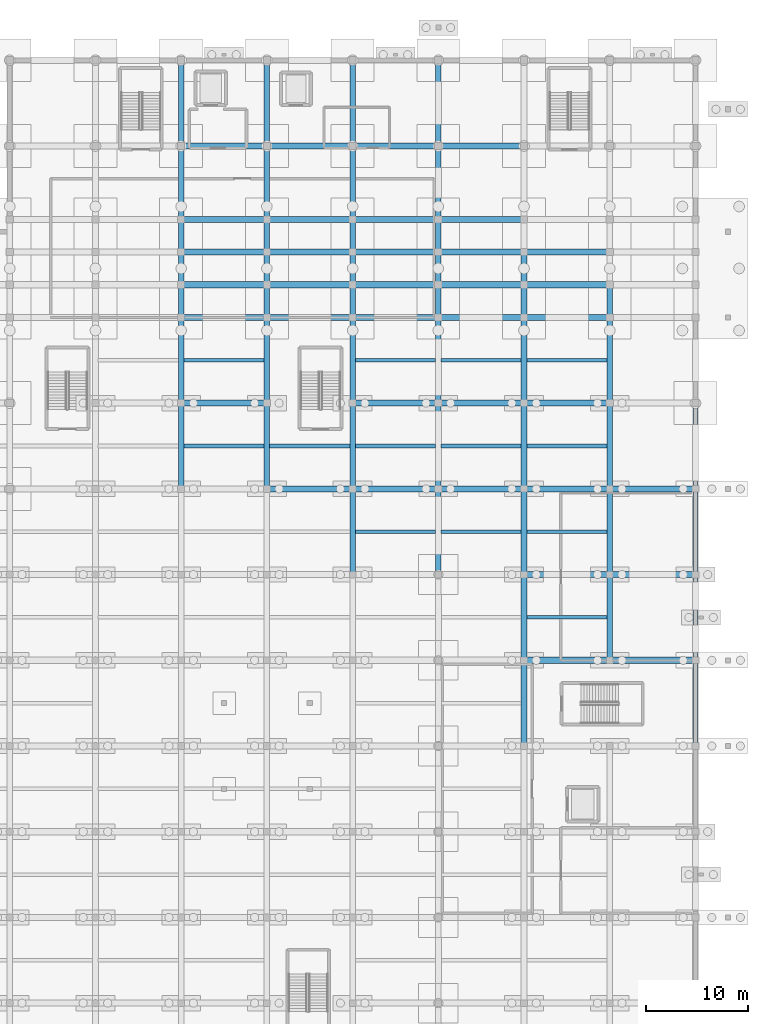
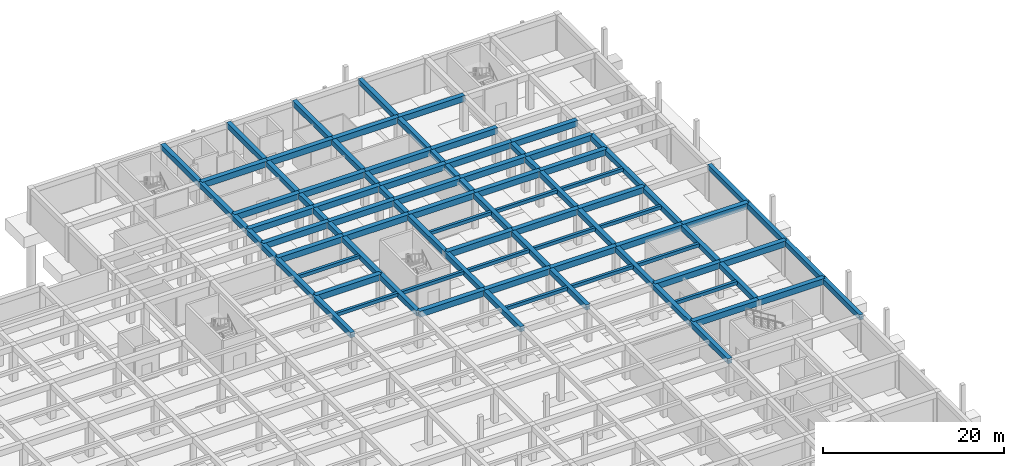
# One storey, part 22 of 51: 95 beams.
"""IFC4 building model written with IfcOpenShell, lengths in metres."""

from ifc_helpers import new_model, si_unit, direction, frame, origin, origin_2d, place, context, subcontext, project, spatial, rectangle, extrude, material, material_profile, profile_set, type_object, element, save


model = new_model("IFC4")

# Units and contexts
model_context = context("Model", 3, precision=1e-05, world=origin(), true_north=direction((0.0, 1.0)))
body_context = subcontext(model_context, "Body", "Model", "MODEL_VIEW")
ifc_project = project(units=[si_unit("LENGTHUNIT", "METRE"), si_unit("AREAUNIT", "SQUARE_METRE"), si_unit("VOLUMEUNIT", "CUBIC_METRE"), si_unit("PLANEANGLEUNIT", "RADIAN"), si_unit("MASSUNIT", "GRAM", prefix="KILO")], contexts=[model_context])

# Site, building, storey
site_placement = place(None, origin())
site = spatial("IfcSite", under=ifc_project, at=site_placement, CompositionType="ELEMENT")
building_placement = place(site_placement, origin())
building = spatial("IfcBuilding", under=site, at=building_placement, Name="Varncliffe General Hospital", CompositionType="ELEMENT")
storey_placement = place(building_placement, frame((0.0, 0.0, -4.800048828125)))
storey = spatial("IfcBuildingStorey", under=building, at=storey_placement, Name="B1", CompositionType="ELEMENT", Elevation=-4.800048828125)

# Beams
ifc_material = material(Name="Concrete C35/45 (CSA A23.1 35 MPa)", Category="concrete")
ifc_material_profile_1 = material_profile(ifc_material, rectangle(XDim=0.550048828125, YDim=0.699951171875, at=origin_2d()), Name="RC 550x700")
ifc_profile_set_1 = profile_set([ifc_material_profile_1], Name="Concrete C35/45 (CSA A23.1 35 MPa)")
beam_type_1 = type_object("IfcBeamType", Name="Beam B35 (Int RC 550x700)", PredefinedType="BEAM", material=ifc_profile_set_1)
beam_1_placement = place(storey_placement, frame((126.0, 82.800048828125, 4.449951171875), z_axis=(0.0, 1.0, 0.0), x_axis=(-1.0, 0.0, 0.0)))
element("IfcBeam", 1, at=beam_1_placement, inside=storey, type_object=beam_type_1, Name="B1 Primary Beam B35-553", PredefinedType="BEAM", context=body_context, shape_type="SweptSolid", body=[
    extrude(rectangle(XDim=0.550048828125, YDim=0.699951171875, at=origin_2d()), origin(), (0.0, 0.0, 1.0), 8.39990234375),
])
beam_2_placement = place(storey_placement, frame((126.0, 91.199951171875, 4.449951171875), z_axis=(0.0, 1.0, 0.0), x_axis=(-1.0, 0.0, 0.0)))
element("IfcBeam", 2, at=beam_2_placement, inside=storey, type_object=beam_type_1, Name="B1 Primary Beam B35-554", PredefinedType="BEAM", context=body_context, shape_type="SweptSolid", body=[
    extrude(rectangle(XDim=0.550048828125, YDim=0.699951171875, at=origin_2d()), origin(), (0.0, 0.0, 1.0), 8.400146484375),
])
for number, where, z_axis, x_axis, name in (
    (3, (126.0, 99.60009765625, 4.449951171875), (0.0, 1.0, 0.0), (-1.0, 0.0, 0.0), "B1 Primary Beam B35-555"),
    (4, (126.0, 102.800048828125, 4.449951171875), (0.0, 1.0, 0.0), (-1.0, 0.0, 0.0), "B1 Primary Beam B35-556"),
    (5, (126.0, 106.0, 4.449951171875), (0.0, 1.0, 0.0), (-1.0, 0.0, 0.0), "B1 Primary Beam B35-557"),
):
    element("IfcBeam", number, at=place(storey_placement, frame(where, z_axis=z_axis, x_axis=x_axis)), inside=storey, type_object=beam_type_1, Name=name, PredefinedType="BEAM", context=body_context, shape_type="SweptSolid", body=[
        extrude(rectangle(XDim=0.550048828125, YDim=0.699951171875, at=origin_2d()), origin(), (0.0, 0.0, 1.0), 3.199951171875),
    ])
beam_3_placement = place(storey_placement, frame((126.0, 109.199951171875, 4.449951171875), z_axis=(0.0, 1.0, 0.0), x_axis=(-1.0, 0.0, 0.0)))
element("IfcBeam", 6, at=beam_3_placement, inside=storey, type_object=beam_type_1, Name="B1 Primary Beam B35-558", PredefinedType="BEAM", context=body_context, shape_type="SweptSolid", body=[
    extrude(rectangle(XDim=0.550048828125, YDim=0.699951171875, at=origin_2d()), origin(), (0.0, 0.0, 1.0), 7.199951171875),
])
beam_4_placement = place(storey_placement, frame((126.0, 116.39990234375, 4.449951171875), z_axis=(0.0, 1.0, 0.0), x_axis=(-1.0, 0.0, 0.0)))
element("IfcBeam", 7, at=beam_4_placement, inside=storey, type_object=beam_type_1, Name="B1 Primary Beam B35-559", PredefinedType="BEAM", context=body_context, shape_type="SweptSolid", body=[
    extrude(rectangle(XDim=0.550048828125, YDim=0.699951171875, at=origin_2d()), origin(), (0.0, 0.0, 1.0), 8.400146484375),
])
beam_5_placement = place(storey_placement, frame((134.39990234375, 82.800048828125, 4.449951171875), z_axis=(0.0, 1.0, 0.0), x_axis=(-1.0, 0.0, 0.0)))
element("IfcBeam", 8, at=beam_5_placement, inside=storey, type_object=beam_type_1, Name="B1 Primary Beam B35-567", PredefinedType="BEAM", context=body_context, shape_type="SweptSolid", body=[
    extrude(rectangle(XDim=0.550048828125, YDim=0.699951171875, at=origin_2d()), origin(), (0.0, 0.0, 1.0), 8.39990234375),
])
beam_6_placement = place(storey_placement, frame((134.39990234375, 91.199951171875, 4.449951171875), z_axis=(0.0, 1.0, 0.0), x_axis=(-1.0, 0.0, 0.0)))
element("IfcBeam", 9, at=beam_6_placement, inside=storey, type_object=beam_type_1, Name="B1 Primary Beam B35-568", PredefinedType="BEAM", context=body_context, shape_type="SweptSolid", body=[
    extrude(rectangle(XDim=0.550048828125, YDim=0.699951171875, at=origin_2d()), origin(), (0.0, 0.0, 1.0), 8.400146484375),
])
for number, where, z_axis, x_axis, name in (
    (10, (134.39990234375, 99.60009765625, 4.449951171875), (0.0, 1.0, 0.0), (-1.0, 0.0, 0.0), "B1 Primary Beam B35-569"),
    (11, (134.39990234375, 102.800048828125, 4.449951171875), (0.0, 1.0, 0.0), (-1.0, 0.0, 0.0), "B1 Primary Beam B35-570"),
    (12, (134.39990234375, 106.0, 4.449951171875), (0.0, 1.0, 0.0), (-1.0, 0.0, 0.0), "B1 Primary Beam B35-571"),
):
    element("IfcBeam", number, at=place(storey_placement, frame(where, z_axis=z_axis, x_axis=x_axis)), inside=storey, type_object=beam_type_1, Name=name, PredefinedType="BEAM", context=body_context, shape_type="SweptSolid", body=[
        extrude(rectangle(XDim=0.550048828125, YDim=0.699951171875, at=origin_2d()), origin(), (0.0, 0.0, 1.0), 3.199951171875),
    ])
beam_7_placement = place(storey_placement, frame((134.39990234375, 109.199951171875, 4.449951171875), z_axis=(0.0, 1.0, 0.0), x_axis=(-1.0, 0.0, 0.0)))
element("IfcBeam", 13, at=beam_7_placement, inside=storey, type_object=beam_type_1, Name="B1 Primary Beam B35-572", PredefinedType="BEAM", context=body_context, shape_type="SweptSolid", body=[
    extrude(rectangle(XDim=0.550048828125, YDim=0.699951171875, at=origin_2d()), origin(), (0.0, 0.0, 1.0), 7.199951171875),
])
for number, where, z_axis, x_axis, name in (
    (14, (134.39990234375, 116.39990234375, 4.449951171875), (0.0, 1.0, 0.0), (-1.0, 0.0, 0.0), "B1 Primary Beam B35-573"),
    (15, (142.800048828125, 74.39990234375, 4.449951171875), (0.0, 1.0, 0.0), (-1.0, 0.0, 0.0), "B1 Primary Beam B35-580"),
):
    element("IfcBeam", number, at=place(storey_placement, frame(where, z_axis=z_axis, x_axis=x_axis)), inside=storey, type_object=beam_type_1, Name=name, PredefinedType="BEAM", context=body_context, shape_type="SweptSolid", body=[
        extrude(rectangle(XDim=0.550048828125, YDim=0.699951171875, at=origin_2d()), origin(), (0.0, 0.0, 1.0), 8.400146484375),
    ])
beam_8_placement = place(storey_placement, frame((142.800048828125, 82.800048828125, 4.449951171875), z_axis=(0.0, 1.0, 0.0), x_axis=(-1.0, 0.0, 0.0)))
element("IfcBeam", 16, at=beam_8_placement, inside=storey, type_object=beam_type_1, Name="B1 Primary Beam B35-581", PredefinedType="BEAM", context=body_context, shape_type="SweptSolid", body=[
    extrude(rectangle(XDim=0.550048828125, YDim=0.699951171875, at=origin_2d()), origin(), (0.0, 0.0, 1.0), 8.39990234375),
])
beam_9_placement = place(storey_placement, frame((142.800048828125, 91.199951171875, 4.449951171875), z_axis=(0.0, 1.0, 0.0), x_axis=(-1.0, 0.0, 0.0)))
element("IfcBeam", 17, at=beam_9_placement, inside=storey, type_object=beam_type_1, Name="B1 Primary Beam B35-582", PredefinedType="BEAM", context=body_context, shape_type="SweptSolid", body=[
    extrude(rectangle(XDim=0.550048828125, YDim=0.699951171875, at=origin_2d()), origin(), (0.0, 0.0, 1.0), 8.400146484375),
])
for number, where, z_axis, x_axis, name in (
    (18, (142.800048828125, 99.60009765625, 4.449951171875), (0.0, 1.0, 0.0), (-1.0, 0.0, 0.0), "B1 Primary Beam B35-583"),
    (19, (142.800048828125, 102.800048828125, 4.449951171875), (0.0, 1.0, 0.0), (-1.0, 0.0, 0.0), "B1 Primary Beam B35-584"),
    (20, (142.800048828125, 106.0, 4.449951171875), (0.0, 1.0, 0.0), (-1.0, 0.0, 0.0), "B1 Primary Beam B35-585"),
):
    element("IfcBeam", number, at=place(storey_placement, frame(where, z_axis=z_axis, x_axis=x_axis)), inside=storey, type_object=beam_type_1, Name=name, PredefinedType="BEAM", context=body_context, shape_type="SweptSolid", body=[
        extrude(rectangle(XDim=0.550048828125, YDim=0.699951171875, at=origin_2d()), origin(), (0.0, 0.0, 1.0), 3.199951171875),
    ])
beam_10_placement = place(storey_placement, frame((142.800048828125, 109.199951171875, 4.449951171875), z_axis=(0.0, 1.0, 0.0), x_axis=(-1.0, 0.0, 0.0)))
element("IfcBeam", 21, at=beam_10_placement, inside=storey, type_object=beam_type_1, Name="B1 Primary Beam B35-586", PredefinedType="BEAM", context=body_context, shape_type="SweptSolid", body=[
    extrude(rectangle(XDim=0.550048828125, YDim=0.699951171875, at=origin_2d()), origin(), (0.0, 0.0, 1.0), 7.199951171875),
])
for number, where, z_axis, x_axis, name in (
    (22, (142.800048828125, 116.39990234375, 4.449951171875), (0.0, 1.0, 0.0), (-1.0, 0.0, 0.0), "B1 Primary Beam B35-587"),
    (23, (151.199951171875, 74.39990234375, 4.449951171875), (0.0, 1.0, 0.0), (-1.0, 0.0, 0.0), "B1 Primary Beam B35-597"),
):
    element("IfcBeam", number, at=place(storey_placement, frame(where, z_axis=z_axis, x_axis=x_axis)), inside=storey, type_object=beam_type_1, Name=name, PredefinedType="BEAM", context=body_context, shape_type="SweptSolid", body=[
        extrude(rectangle(XDim=0.550048828125, YDim=0.699951171875, at=origin_2d()), origin(), (0.0, 0.0, 1.0), 8.400146484375),
    ])
beam_11_placement = place(storey_placement, frame((151.199951171875, 82.800048828125, 4.449951171875), z_axis=(0.0, 1.0, 0.0), x_axis=(-1.0, 0.0, 0.0)))
element("IfcBeam", 24, at=beam_11_placement, inside=storey, type_object=beam_type_1, Name="B1 Primary Beam B35-598", PredefinedType="BEAM", context=body_context, shape_type="SweptSolid", body=[
    extrude(rectangle(XDim=0.550048828125, YDim=0.699951171875, at=origin_2d()), origin(), (0.0, 0.0, 1.0), 8.39990234375),
])
beam_12_placement = place(storey_placement, frame((151.199951171875, 91.199951171875, 4.449951171875), z_axis=(0.0, 1.0, 0.0), x_axis=(-1.0, 0.0, 0.0)))
element("IfcBeam", 25, at=beam_12_placement, inside=storey, type_object=beam_type_1, Name="B1 Primary Beam B35-599", PredefinedType="BEAM", context=body_context, shape_type="SweptSolid", body=[
    extrude(rectangle(XDim=0.550048828125, YDim=0.699951171875, at=origin_2d()), origin(), (0.0, 0.0, 1.0), 8.400146484375),
])
for number, where, z_axis, x_axis, name in (
    (26, (151.199951171875, 99.60009765625, 4.449951171875), (0.0, 1.0, 0.0), (-1.0, 0.0, 0.0), "B1 Primary Beam B35-600"),
    (27, (151.199951171875, 102.800048828125, 4.449951171875), (0.0, 1.0, 0.0), (-1.0, 0.0, 0.0), "B1 Primary Beam B35-601"),
    (28, (151.199951171875, 106.0, 4.449951171875), (0.0, 1.0, 0.0), (-1.0, 0.0, 0.0), "B1 Primary Beam B35-602"),
):
    element("IfcBeam", number, at=place(storey_placement, frame(where, z_axis=z_axis, x_axis=x_axis)), inside=storey, type_object=beam_type_1, Name=name, PredefinedType="BEAM", context=body_context, shape_type="SweptSolid", body=[
        extrude(rectangle(XDim=0.550048828125, YDim=0.699951171875, at=origin_2d()), origin(), (0.0, 0.0, 1.0), 3.199951171875),
    ])
beam_13_placement = place(storey_placement, frame((151.199951171875, 109.199951171875, 4.449951171875), z_axis=(0.0, 1.0, 0.0), x_axis=(-1.0, 0.0, 0.0)))
element("IfcBeam", 29, at=beam_13_placement, inside=storey, type_object=beam_type_1, Name="B1 Primary Beam B35-603", PredefinedType="BEAM", context=body_context, shape_type="SweptSolid", body=[
    extrude(rectangle(XDim=0.550048828125, YDim=0.699951171875, at=origin_2d()), origin(), (0.0, 0.0, 1.0), 7.199951171875),
])
beam_14_placement = place(storey_placement, frame((151.199951171875, 116.39990234375, 4.449951171875), z_axis=(0.0, 1.0, 0.0), x_axis=(-1.0, 0.0, 0.0)))
element("IfcBeam", 30, at=beam_14_placement, inside=storey, type_object=beam_type_1, Name="B1 Primary Beam B35-604", PredefinedType="BEAM", context=body_context, shape_type="SweptSolid", body=[
    extrude(rectangle(XDim=0.550048828125, YDim=0.699951171875, at=origin_2d()), origin(), (0.0, 0.0, 1.0), 8.400146484375),
])
for number, where, z_axis, x_axis, name in (
    (31, (159.60009765625, 57.60009765625, 4.449951171875), (0.0, 1.0, 0.0), (-1.0, 0.0, 0.0), "B1 Primary Beam B35-612"),
    (32, (159.60009765625, 66.0, 4.449951171875), (0.0, 1.0, 0.0), (-1.0, 0.0, 0.0), "B1 Primary Beam B35-613"),
):
    element("IfcBeam", number, at=place(storey_placement, frame(where, z_axis=z_axis, x_axis=x_axis)), inside=storey, type_object=beam_type_1, Name=name, PredefinedType="BEAM", context=body_context, shape_type="SweptSolid", body=[
        extrude(rectangle(XDim=0.550048828125, YDim=0.699951171875, at=origin_2d()), origin(), (0.0, 0.0, 1.0), 8.39990234375),
    ])
beam_15_placement = place(storey_placement, frame((159.60009765625, 74.39990234375, 4.449951171875), z_axis=(0.0, 1.0, 0.0), x_axis=(-1.0, 0.0, 0.0)))
element("IfcBeam", 33, at=beam_15_placement, inside=storey, type_object=beam_type_1, Name="B1 Primary Beam B35-614", PredefinedType="BEAM", context=body_context, shape_type="SweptSolid", body=[
    extrude(rectangle(XDim=0.550048828125, YDim=0.699951171875, at=origin_2d()), origin(), (0.0, 0.0, 1.0), 8.400146484375),
])
beam_16_placement = place(storey_placement, frame((159.60009765625, 82.800048828125, 4.449951171875), z_axis=(0.0, 1.0, 0.0), x_axis=(-1.0, 0.0, 0.0)))
element("IfcBeam", 34, at=beam_16_placement, inside=storey, type_object=beam_type_1, Name="B1 Primary Beam B35-615", PredefinedType="BEAM", context=body_context, shape_type="SweptSolid", body=[
    extrude(rectangle(XDim=0.550048828125, YDim=0.699951171875, at=origin_2d()), origin(), (0.0, 0.0, 1.0), 8.39990234375),
])
beam_17_placement = place(storey_placement, frame((159.60009765625, 91.199951171875, 4.449951171875), z_axis=(0.0, 1.0, 0.0), x_axis=(-1.0, 0.0, 0.0)))
element("IfcBeam", 35, at=beam_17_placement, inside=storey, type_object=beam_type_1, Name="B1 Primary Beam B35-616", PredefinedType="BEAM", context=body_context, shape_type="SweptSolid", body=[
    extrude(rectangle(XDim=0.550048828125, YDim=0.699951171875, at=origin_2d()), origin(), (0.0, 0.0, 1.0), 8.400146484375),
])
for number, where, z_axis, x_axis, name in (
    (36, (159.60009765625, 99.60009765625, 4.449951171875), (0.0, 1.0, 0.0), (-1.0, 0.0, 0.0), "B1 Primary Beam B35-617"),
    (37, (159.60009765625, 102.800048828125, 4.449951171875), (0.0, 1.0, 0.0), (-1.0, 0.0, 0.0), "B1 Primary Beam B35-618"),
):
    element("IfcBeam", number, at=place(storey_placement, frame(where, z_axis=z_axis, x_axis=x_axis)), inside=storey, type_object=beam_type_1, Name=name, PredefinedType="BEAM", context=body_context, shape_type="SweptSolid", body=[
        extrude(rectangle(XDim=0.550048828125, YDim=0.699951171875, at=origin_2d()), origin(), (0.0, 0.0, 1.0), 3.199951171875),
    ])
beam_18_placement = place(storey_placement, frame((168.0, 66.0, 4.449951171875), z_axis=(0.0, 1.0, 0.0), x_axis=(-1.0, 0.0, 0.0)))
element("IfcBeam", 38, at=beam_18_placement, inside=storey, type_object=beam_type_1, Name="B1 Primary Beam B35-628", PredefinedType="BEAM", context=body_context, shape_type="SweptSolid", body=[
    extrude(rectangle(XDim=0.550048828125, YDim=0.699951171875, at=origin_2d()), origin(), (0.0, 0.0, 1.0), 8.39990234375),
])
beam_19_placement = place(storey_placement, frame((168.0, 74.39990234375, 4.449951171875), z_axis=(0.0, 1.0, 0.0), x_axis=(-1.0, 0.0, 0.0)))
element("IfcBeam", 39, at=beam_19_placement, inside=storey, type_object=beam_type_1, Name="B1 Primary Beam B35-629", PredefinedType="BEAM", context=body_context, shape_type="SweptSolid", body=[
    extrude(rectangle(XDim=0.550048828125, YDim=0.699951171875, at=origin_2d()), origin(), (0.0, 0.0, 1.0), 8.400146484375),
])
beam_20_placement = place(storey_placement, frame((168.0, 82.800048828125, 4.449951171875), z_axis=(0.0, 1.0, 0.0), x_axis=(-1.0, 0.0, 0.0)))
element("IfcBeam", 40, at=beam_20_placement, inside=storey, type_object=beam_type_1, Name="B1 Primary Beam B35-630", PredefinedType="BEAM", context=body_context, shape_type="SweptSolid", body=[
    extrude(rectangle(XDim=0.550048828125, YDim=0.699951171875, at=origin_2d()), origin(), (0.0, 0.0, 1.0), 8.39990234375),
])
beam_21_placement = place(storey_placement, frame((168.0, 91.199951171875, 4.449951171875), z_axis=(0.0, 1.0, 0.0), x_axis=(-1.0, 0.0, 0.0)))
element("IfcBeam", 41, at=beam_21_placement, inside=storey, type_object=beam_type_1, Name="B1 Primary Beam B35-631", PredefinedType="BEAM", context=body_context, shape_type="SweptSolid", body=[
    extrude(rectangle(XDim=0.550048828125, YDim=0.699951171875, at=origin_2d()), origin(), (0.0, 0.0, 1.0), 8.400146484375),
])
beam_22_placement = place(storey_placement, frame((168.0, 99.60009765625, 4.449951171875), z_axis=(0.0, 1.0, 0.0), x_axis=(-1.0, 0.0, 0.0)))
element("IfcBeam", 42, at=beam_22_placement, inside=storey, type_object=beam_type_1, Name="B1 Primary Beam B35-632", PredefinedType="BEAM", context=body_context, shape_type="SweptSolid", body=[
    extrude(rectangle(XDim=0.550048828125, YDim=0.699951171875, at=origin_2d()), origin(), (0.0, 0.0, 1.0), 3.199951171875),
])
ifc_material_profile_2 = material_profile(ifc_material, rectangle(XDim=0.60009765625, YDim=0.800048828125, at=origin_2d()), Name="RC 600x800")
ifc_profile_set_2 = profile_set([ifc_material_profile_2], Name="Concrete C35/45 (CSA A23.1 35 MPa)")
beam_type_2 = type_object("IfcBeamType", Name="Beam B40 (Int RC 600x800)", PredefinedType="BEAM", material=ifc_profile_set_2)
for number, where, z_axis, x_axis, name in (
    (43, (159.60009765625, 66.0, 4.400146484375), (1.0, 0.0, 0.0), (0.0, 1.0, 0.0), "B1 Primary Beam B40-152"),
    (44, (168.0, 66.0, 4.400146484375), (1.0, 0.0, 0.0), (0.0, 1.0, 0.0), "B1 Primary Beam B40-153"),
    (45, (159.60009765625, 74.39990234375, 4.400146484375), (1.0, 0.0, 0.0), (0.0, 1.0, 0.0), "B1 Primary Beam B40-173"),
    (46, (168.0, 74.39990234375, 4.400146484375), (1.0, 0.0, 0.0), (0.0, 1.0, 0.0), "B1 Primary Beam B40-174"),
):
    element("IfcBeam", number, at=place(storey_placement, frame(where, z_axis=z_axis, x_axis=x_axis)), inside=storey, type_object=beam_type_2, Name=name, PredefinedType="BEAM", context=body_context, shape_type="SweptSolid", body=[
        extrude(rectangle(XDim=0.60009765625, YDim=0.800048828125, at=origin_2d()), origin(), (0.0, 0.0, 1.0), 8.39990234375),
    ])
beam_23_placement = place(storey_placement, frame((134.39990234375, 82.800048828125, 4.400146484375), z_axis=(1.0, 0.0, 0.0), x_axis=(0.0, 1.0, 0.0)))
element("IfcBeam", 47, at=beam_23_placement, inside=storey, type_object=beam_type_2, Name="B1 Primary Beam B40-191", PredefinedType="BEAM", context=body_context, shape_type="SweptSolid", body=[
    extrude(rectangle(XDim=0.60009765625, YDim=0.800048828125, at=origin_2d()), origin(), (0.0, 0.0, 1.0), 8.400146484375),
])
beam_24_placement = place(storey_placement, frame((142.800048828125, 82.800048828125, 4.400146484375), z_axis=(1.0, 0.0, 0.0), x_axis=(0.0, 1.0, 0.0)))
element("IfcBeam", 48, at=beam_24_placement, inside=storey, type_object=beam_type_2, Name="B1 Primary Beam B40-192", PredefinedType="BEAM", context=body_context, shape_type="SweptSolid", body=[
    extrude(rectangle(XDim=0.60009765625, YDim=0.800048828125, at=origin_2d()), origin(), (0.0, 0.0, 1.0), 8.39990234375),
])
beam_25_placement = place(storey_placement, frame((151.199951171875, 82.800048828125, 4.400146484375), z_axis=(1.0, 0.0, 0.0), x_axis=(0.0, 1.0, 0.0)))
element("IfcBeam", 49, at=beam_25_placement, inside=storey, type_object=beam_type_2, Name="B1 Primary Beam B40-193", PredefinedType="BEAM", context=body_context, shape_type="SweptSolid", body=[
    extrude(rectangle(XDim=0.60009765625, YDim=0.800048828125, at=origin_2d()), origin(), (0.0, 0.0, 1.0), 8.400146484375),
])
for number, where, z_axis, x_axis, name in (
    (50, (159.60009765625, 82.800048828125, 4.400146484375), (1.0, 0.0, 0.0), (0.0, 1.0, 0.0), "B1 Primary Beam B40-194"),
    (51, (168.0, 82.800048828125, 4.400146484375), (1.0, 0.0, 0.0), (0.0, 1.0, 0.0), "B1 Primary Beam B40-195"),
    (52, (126.0, 91.199951171875, 4.400146484375), (1.0, 0.0, 0.0), (0.0, 1.0, 0.0), "B1 Primary Beam B40-208"),
    (53, (142.800048828125, 91.199951171875, 4.400146484375), (1.0, 0.0, 0.0), (0.0, 1.0, 0.0), "B1 Primary Beam B40-209"),
):
    element("IfcBeam", number, at=place(storey_placement, frame(where, z_axis=z_axis, x_axis=x_axis)), inside=storey, type_object=beam_type_2, Name=name, PredefinedType="BEAM", context=body_context, shape_type="SweptSolid", body=[
        extrude(rectangle(XDim=0.60009765625, YDim=0.800048828125, at=origin_2d()), origin(), (0.0, 0.0, 1.0), 8.39990234375),
    ])
beam_26_placement = place(storey_placement, frame((151.199951171875, 91.199951171875, 4.400146484375), z_axis=(1.0, 0.0, 0.0), x_axis=(0.0, 1.0, 0.0)))
element("IfcBeam", 54, at=beam_26_placement, inside=storey, type_object=beam_type_2, Name="B1 Primary Beam B40-210", PredefinedType="BEAM", context=body_context, shape_type="SweptSolid", body=[
    extrude(rectangle(XDim=0.60009765625, YDim=0.800048828125, at=origin_2d()), origin(), (0.0, 0.0, 1.0), 8.400146484375),
])
for number, where, z_axis, x_axis, name in (
    (55, (159.60009765625, 91.199951171875, 4.400146484375), (1.0, 0.0, 0.0), (0.0, 1.0, 0.0), "B1 Primary Beam B40-211"),
    (56, (126.0, 99.60009765625, 4.400146484375), (1.0, 0.0, 0.0), (0.0, 1.0, 0.0), "B1 Primary Beam B40-228"),
):
    element("IfcBeam", number, at=place(storey_placement, frame(where, z_axis=z_axis, x_axis=x_axis)), inside=storey, type_object=beam_type_2, Name=name, PredefinedType="BEAM", context=body_context, shape_type="SweptSolid", body=[
        extrude(rectangle(XDim=0.60009765625, YDim=0.800048828125, at=origin_2d()), origin(), (0.0, 0.0, 1.0), 8.39990234375),
    ])
beam_27_placement = place(storey_placement, frame((134.39990234375, 99.60009765625, 4.400146484375), z_axis=(1.0, 0.0, 0.0), x_axis=(0.0, 1.0, 0.0)))
element("IfcBeam", 57, at=beam_27_placement, inside=storey, type_object=beam_type_2, Name="B1 Primary Beam B40-229", PredefinedType="BEAM", context=body_context, shape_type="SweptSolid", body=[
    extrude(rectangle(XDim=0.60009765625, YDim=0.800048828125, at=origin_2d()), origin(), (0.0, 0.0, 1.0), 8.400146484375),
])
beam_28_placement = place(storey_placement, frame((142.800048828125, 99.60009765625, 4.400146484375), z_axis=(1.0, 0.0, 0.0), x_axis=(0.0, 1.0, 0.0)))
element("IfcBeam", 58, at=beam_28_placement, inside=storey, type_object=beam_type_2, Name="B1 Primary Beam B40-230", PredefinedType="BEAM", context=body_context, shape_type="SweptSolid", body=[
    extrude(rectangle(XDim=0.60009765625, YDim=0.800048828125, at=origin_2d()), origin(), (0.0, 0.0, 1.0), 8.39990234375),
])
beam_29_placement = place(storey_placement, frame((151.199951171875, 99.60009765625, 4.400146484375), z_axis=(1.0, 0.0, 0.0), x_axis=(0.0, 1.0, 0.0)))
element("IfcBeam", 59, at=beam_29_placement, inside=storey, type_object=beam_type_2, Name="B1 Primary Beam B40-231", PredefinedType="BEAM", context=body_context, shape_type="SweptSolid", body=[
    extrude(rectangle(XDim=0.60009765625, YDim=0.800048828125, at=origin_2d()), origin(), (0.0, 0.0, 1.0), 8.400146484375),
])
for number, where, z_axis, x_axis, name in (
    (60, (159.60009765625, 99.60009765625, 4.400146484375), (1.0, 0.0, 0.0), (0.0, 1.0, 0.0), "B1 Primary Beam B40-232"),
    (61, (126.0, 102.800048828125, 4.400146484375), (1.0, 0.0, 0.0), (0.0, 1.0, 0.0), "B1 Primary Beam B40-249"),
):
    element("IfcBeam", number, at=place(storey_placement, frame(where, z_axis=z_axis, x_axis=x_axis)), inside=storey, type_object=beam_type_2, Name=name, PredefinedType="BEAM", context=body_context, shape_type="SweptSolid", body=[
        extrude(rectangle(XDim=0.60009765625, YDim=0.800048828125, at=origin_2d()), origin(), (0.0, 0.0, 1.0), 8.39990234375),
    ])
beam_30_placement = place(storey_placement, frame((134.39990234375, 102.800048828125, 4.400146484375), z_axis=(1.0, 0.0, 0.0), x_axis=(0.0, 1.0, 0.0)))
element("IfcBeam", 62, at=beam_30_placement, inside=storey, type_object=beam_type_2, Name="B1 Primary Beam B40-250", PredefinedType="BEAM", context=body_context, shape_type="SweptSolid", body=[
    extrude(rectangle(XDim=0.60009765625, YDim=0.800048828125, at=origin_2d()), origin(), (0.0, 0.0, 1.0), 8.400146484375),
])
beam_31_placement = place(storey_placement, frame((142.800048828125, 102.800048828125, 4.400146484375), z_axis=(1.0, 0.0, 0.0), x_axis=(0.0, 1.0, 0.0)))
element("IfcBeam", 63, at=beam_31_placement, inside=storey, type_object=beam_type_2, Name="B1 Primary Beam B40-251", PredefinedType="BEAM", context=body_context, shape_type="SweptSolid", body=[
    extrude(rectangle(XDim=0.60009765625, YDim=0.800048828125, at=origin_2d()), origin(), (0.0, 0.0, 1.0), 8.39990234375),
])
beam_32_placement = place(storey_placement, frame((151.199951171875, 102.800048828125, 4.400146484375), z_axis=(1.0, 0.0, 0.0), x_axis=(0.0, 1.0, 0.0)))
element("IfcBeam", 64, at=beam_32_placement, inside=storey, type_object=beam_type_2, Name="B1 Primary Beam B40-252", PredefinedType="BEAM", context=body_context, shape_type="SweptSolid", body=[
    extrude(rectangle(XDim=0.60009765625, YDim=0.800048828125, at=origin_2d()), origin(), (0.0, 0.0, 1.0), 8.400146484375),
])
for number, where, z_axis, x_axis, name in (
    (65, (159.60009765625, 102.800048828125, 4.400146484375), (1.0, 0.0, 0.0), (0.0, 1.0, 0.0), "B1 Primary Beam B40-253"),
    (66, (126.0, 106.0, 4.400146484375), (1.0, 0.0, 0.0), (0.0, 1.0, 0.0), "B1 Primary Beam B40-265"),
):
    element("IfcBeam", number, at=place(storey_placement, frame(where, z_axis=z_axis, x_axis=x_axis)), inside=storey, type_object=beam_type_2, Name=name, PredefinedType="BEAM", context=body_context, shape_type="SweptSolid", body=[
        extrude(rectangle(XDim=0.60009765625, YDim=0.800048828125, at=origin_2d()), origin(), (0.0, 0.0, 1.0), 8.39990234375),
    ])
beam_33_placement = place(storey_placement, frame((134.39990234375, 106.0, 4.400146484375), z_axis=(1.0, 0.0, 0.0), x_axis=(0.0, 1.0, 0.0)))
element("IfcBeam", 67, at=beam_33_placement, inside=storey, type_object=beam_type_2, Name="B1 Primary Beam B40-266", PredefinedType="BEAM", context=body_context, shape_type="SweptSolid", body=[
    extrude(rectangle(XDim=0.60009765625, YDim=0.800048828125, at=origin_2d()), origin(), (0.0, 0.0, 1.0), 8.400146484375),
])
beam_34_placement = place(storey_placement, frame((142.800048828125, 106.0, 4.400146484375), z_axis=(1.0, 0.0, 0.0), x_axis=(0.0, 1.0, 0.0)))
element("IfcBeam", 68, at=beam_34_placement, inside=storey, type_object=beam_type_2, Name="B1 Primary Beam B40-267", PredefinedType="BEAM", context=body_context, shape_type="SweptSolid", body=[
    extrude(rectangle(XDim=0.60009765625, YDim=0.800048828125, at=origin_2d()), origin(), (0.0, 0.0, 1.0), 8.39990234375),
])
beam_35_placement = place(storey_placement, frame((151.199951171875, 106.0, 4.400146484375), z_axis=(1.0, 0.0, 0.0), x_axis=(0.0, 1.0, 0.0)))
element("IfcBeam", 69, at=beam_35_placement, inside=storey, type_object=beam_type_2, Name="B1 Primary Beam B40-268", PredefinedType="BEAM", context=body_context, shape_type="SweptSolid", body=[
    extrude(rectangle(XDim=0.60009765625, YDim=0.800048828125, at=origin_2d()), origin(), (0.0, 0.0, 1.0), 8.400146484375),
])
for number, where, z_axis, x_axis, name in (
    (70, (159.60009765625, 106.0, 4.400146484375), (1.0, 0.0, 0.0), (0.0, 1.0, 0.0), "B1 Primary Beam B40-269"),
    (71, (126.0, 109.199951171875, 4.400146484375), (1.0, 0.0, 0.0), (0.0, 1.0, 0.0), "B1 Primary Beam B40-284"),
):
    element("IfcBeam", number, at=place(storey_placement, frame(where, z_axis=z_axis, x_axis=x_axis)), inside=storey, type_object=beam_type_2, Name=name, PredefinedType="BEAM", context=body_context, shape_type="SweptSolid", body=[
        extrude(rectangle(XDim=0.60009765625, YDim=0.800048828125, at=origin_2d()), origin(), (0.0, 0.0, 1.0), 8.39990234375),
    ])
beam_36_placement = place(storey_placement, frame((134.39990234375, 109.199951171875, 4.400146484375), z_axis=(1.0, 0.0, 0.0), x_axis=(0.0, 1.0, 0.0)))
element("IfcBeam", 72, at=beam_36_placement, inside=storey, type_object=beam_type_2, Name="B1 Primary Beam B40-285", PredefinedType="BEAM", context=body_context, shape_type="SweptSolid", body=[
    extrude(rectangle(XDim=0.60009765625, YDim=0.800048828125, at=origin_2d()), origin(), (0.0, 0.0, 1.0), 8.400146484375),
])
beam_37_placement = place(storey_placement, frame((142.800048828125, 109.199951171875, 4.400146484375), z_axis=(1.0, 0.0, 0.0), x_axis=(0.0, 1.0, 0.0)))
element("IfcBeam", 73, at=beam_37_placement, inside=storey, type_object=beam_type_2, Name="B1 Primary Beam B40-286", PredefinedType="BEAM", context=body_context, shape_type="SweptSolid", body=[
    extrude(rectangle(XDim=0.60009765625, YDim=0.800048828125, at=origin_2d()), origin(), (0.0, 0.0, 1.0), 8.39990234375),
])
beam_38_placement = place(storey_placement, frame((151.199951171875, 109.199951171875, 4.400146484375), z_axis=(1.0, 0.0, 0.0), x_axis=(0.0, 1.0, 0.0)))
element("IfcBeam", 74, at=beam_38_placement, inside=storey, type_object=beam_type_2, Name="B1 Primary Beam B40-287", PredefinedType="BEAM", context=body_context, shape_type="SweptSolid", body=[
    extrude(rectangle(XDim=0.60009765625, YDim=0.800048828125, at=origin_2d()), origin(), (0.0, 0.0, 1.0), 8.400146484375),
])
beam_39_placement = place(storey_placement, frame((126.0, 116.39990234375, 4.400146484375), z_axis=(1.0, 0.0, 0.0), x_axis=(0.0, 1.0, 0.0)))
element("IfcBeam", 75, at=beam_39_placement, inside=storey, type_object=beam_type_2, Name="B1 Primary Beam B40-300", PredefinedType="BEAM", context=body_context, shape_type="SweptSolid", body=[
    extrude(rectangle(XDim=0.60009765625, YDim=0.800048828125, at=origin_2d()), origin(), (0.0, 0.0, 1.0), 8.39990234375),
])
beam_40_placement = place(storey_placement, frame((134.39990234375, 116.39990234375, 4.400146484375), z_axis=(1.0, 0.0, 0.0), x_axis=(0.0, 1.0, 0.0)))
element("IfcBeam", 76, at=beam_40_placement, inside=storey, type_object=beam_type_2, Name="B1 Primary Beam B40-301", PredefinedType="BEAM", context=body_context, shape_type="SweptSolid", body=[
    extrude(rectangle(XDim=0.60009765625, YDim=0.800048828125, at=origin_2d()), origin(), (0.0, 0.0, 1.0), 8.400146484375),
])
beam_41_placement = place(storey_placement, frame((142.800048828125, 116.39990234375, 4.400146484375), z_axis=(1.0, 0.0, 0.0), x_axis=(0.0, 1.0, 0.0)))
element("IfcBeam", 77, at=beam_41_placement, inside=storey, type_object=beam_type_2, Name="B1 Primary Beam B40-302", PredefinedType="BEAM", context=body_context, shape_type="SweptSolid", body=[
    extrude(rectangle(XDim=0.60009765625, YDim=0.800048828125, at=origin_2d()), origin(), (0.0, 0.0, 1.0), 8.39990234375),
])
beam_42_placement = place(storey_placement, frame((151.199951171875, 116.39990234375, 4.400146484375), z_axis=(1.0, 0.0, 0.0), x_axis=(0.0, 1.0, 0.0)))
element("IfcBeam", 78, at=beam_42_placement, inside=storey, type_object=beam_type_2, Name="B1 Primary Beam B40-303", PredefinedType="BEAM", context=body_context, shape_type="SweptSolid", body=[
    extrude(rectangle(XDim=0.60009765625, YDim=0.800048828125, at=origin_2d()), origin(), (0.0, 0.0, 1.0), 8.400146484375),
])
ifc_material_profile_3 = material_profile(ifc_material, rectangle(XDim=0.35009765625, YDim=0.449951171875, at=origin_2d()), Name="RC 350x450")
ifc_profile_set_3 = profile_set([ifc_material_profile_3], Name="Concrete C35/45 (CSA A23.1 35 MPa)")
beam_type_3 = type_object("IfcBeamType", Name="Joist J55 (Int RC 350x450)", PredefinedType="JOIST", material=ifc_profile_set_3)
for number, where, z_axis, x_axis, name in (
    (79, (126.27294921875, 87.0, 4.574951171875), (1.0, 0.0, 0.0), (0.0, 1.0, 0.0), "B1 Secondary Floor Rib J55-135"),
    (80, (126.27294921875, 95.39990234375, 4.574951171875), (1.0, 0.0, 0.0), (0.0, 1.0, 0.0), "B1 Secondary Floor Rib J55-136"),
    (81, (134.673095703125, 87.0, 4.574951171875), (1.0, 0.0, 0.0), (0.0, 1.0, 0.0), "B1 Secondary Floor Rib J55-142"),
    (82, (143.072998046875, 78.60009765625, 4.574951171875), (1.0, 0.0, 0.0), (0.0, 1.0, 0.0), "B1 Secondary Floor Rib J55-149"),
    (83, (143.072998046875, 87.0, 4.574951171875), (1.0, 0.0, 0.0), (0.0, 1.0, 0.0), "B1 Secondary Floor Rib J55-150"),
    (84, (143.072998046875, 95.39990234375, 4.574951171875), (1.0, 0.0, 0.0), (0.0, 1.0, 0.0), "B1 Secondary Floor Rib J55-151"),
    (85, (151.472900390625, 78.60009765625, 4.574951171875), (1.0, 0.0, 0.0), (0.0, 1.0, 0.0), "B1 Secondary Floor Rib J55-158"),
    (86, (151.472900390625, 87.0, 4.574951171875), (1.0, 0.0, 0.0), (0.0, 1.0, 0.0), "B1 Secondary Floor Rib J55-159"),
    (87, (151.472900390625, 95.39990234375, 4.574951171875), (1.0, 0.0, 0.0), (0.0, 1.0, 0.0), "B1 Secondary Floor Rib J55-160"),
    (88, (159.873046875, 70.199951171875, 4.574951171875), (1.0, 0.0, 0.0), (0.0, 1.0, 0.0), "B1 Secondary Floor Rib J55-165"),
    (89, (159.873046875, 78.60009765625, 4.574951171875), (1.0, 0.0, 0.0), (0.0, 1.0, 0.0), "B1 Secondary Floor Rib J55-166"),
    (90, (159.873046875, 87.0, 4.574951171875), (1.0, 0.0, 0.0), (0.0, 1.0, 0.0), "B1 Secondary Floor Rib J55-167"),
    (91, (159.873046875, 95.39990234375, 4.574951171875), (1.0, 0.0, 0.0), (0.0, 1.0, 0.0), "B1 Secondary Floor Rib J55-168"),
):
    element("IfcBeam", number, at=place(storey_placement, frame(where, z_axis=z_axis, x_axis=x_axis)), inside=storey, type_object=beam_type_3, Name=name, PredefinedType="JOIST", context=body_context, shape_type="SweptSolid", body=[
        extrude(rectangle(XDim=0.35009765625, YDim=0.449951171875, at=origin_2d()), origin(), (0.0, 0.0, 1.0), 7.85400390625),
    ])
ifc_material_profile_4 = material_profile(ifc_material, rectangle(XDim=0.5, YDim=0.699951171875, at=origin_2d()), Name="RC 500x700")
ifc_profile_set_4 = profile_set([ifc_material_profile_4], Name="Concrete C35/45 (CSA A23.1 35 MPa)")
beam_type_4 = type_object("IfcBeamType", Name="Spandrel SP19 (Ext RC 500x700)", PredefinedType="SPANDREL", material=ifc_profile_set_4)
for number, where, z_axis, x_axis, name in (
    (92, (176.39990234375, 57.60009765625, 4.449951171875), (0.0, 1.0, 0.0), (-1.0, 0.0, 0.0), "B1 Spandrel Beam SP19-644"),
    (93, (176.39990234375, 66.0, 4.449951171875), (0.0, 1.0, 0.0), (-1.0, 0.0, 0.0), "B1 Spandrel Beam SP19-645"),
):
    element("IfcBeam", number, at=place(storey_placement, frame(where, z_axis=z_axis, x_axis=x_axis)), inside=storey, type_object=beam_type_4, Name=name, PredefinedType="SPANDREL", context=body_context, shape_type="SweptSolid", body=[
        extrude(rectangle(XDim=0.5, YDim=0.699951171875, at=origin_2d()), origin(), (0.0, 0.0, 1.0), 8.39990234375),
    ])
beam_43_placement = place(storey_placement, frame((176.39990234375, 74.39990234375, 4.449951171875), z_axis=(0.0, 1.0, 0.0), x_axis=(-1.0, 0.0, 0.0)))
element("IfcBeam", 94, at=beam_43_placement, inside=storey, type_object=beam_type_4, Name="B1 Spandrel Beam SP19-646", PredefinedType="SPANDREL", context=body_context, shape_type="SweptSolid", body=[
    extrude(rectangle(XDim=0.5, YDim=0.699951171875, at=origin_2d()), origin(), (0.0, 0.0, 1.0), 8.400146484375),
])
beam_44_placement = place(storey_placement, frame((176.39990234375, 82.800048828125, 4.449951171875), z_axis=(0.0, 1.0, 0.0), x_axis=(-1.0, 0.0, 0.0)))
element("IfcBeam", 95, at=beam_44_placement, inside=storey, type_object=beam_type_4, Name="B1 Spandrel Beam SP19-647", PredefinedType="SPANDREL", context=body_context, shape_type="SweptSolid", body=[
    extrude(rectangle(XDim=0.5, YDim=0.699951171875, at=origin_2d()), origin(), (0.0, 0.0, 1.0), 8.39990234375),
])

save(model, "model.ifc")
